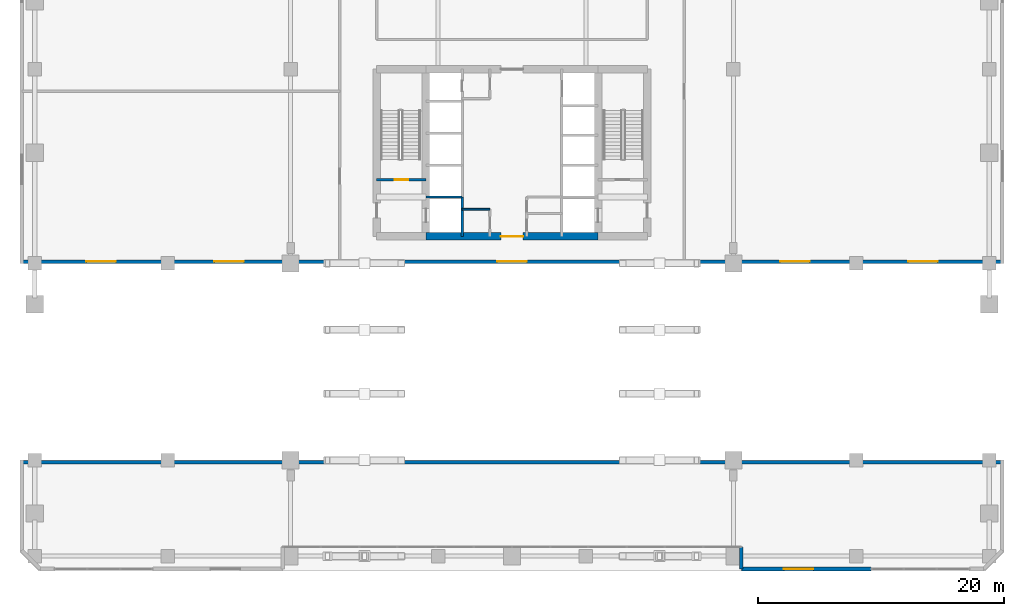
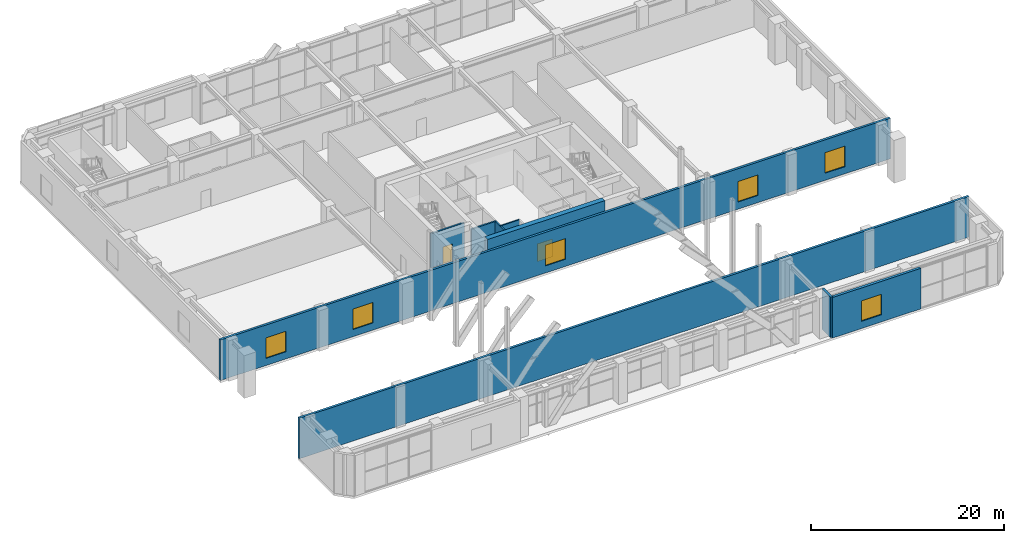
# One storey, part 21 of 28: 9 walls, 6 windows, 2 doors, 8 openings.
"""IFC4 building model written with IfcOpenShell, lengths in metres."""

import ifcopenshell
import ifcopenshell.guid

model = None  # the IFC model being written
_history = None  # IfcOwnerHistory: only IFC2X3 demands one
_inside = {}  # id of a spatial element -> (the spatial element, [elements in it])
_under = {}  # id of a project, library or spatial element -> (it, [spatial elements below it])
_declared = {}  # id of a project -> (the project, [libraries it declares])
_typed = {}  # id of a type object -> (the type object, [elements of that type])
_made_of = {}  # id of a material, layer set ... -> (it, [elements and type objects made of it])


def new_model(schema):
    """Start an empty IFC model of exactly this schema.

    Asked for "IFC4X3", IfcOpenShell would pick the latest addendum, in which some entities
    have other attributes; the version numbers below select the first issue.
    IFC2X3 requires an IfcOwnerHistory on every rooted entity: one is made here for all.
    """
    global model, _history
    if schema == "IFC4X3":
        model = ifcopenshell.file(schema_version=(4, 3, 0, 0))
    else:
        model = ifcopenshell.file(schema=schema)
    _inside.clear()
    _under.clear()
    _declared.clear()
    _typed.clear()
    _made_of.clear()
    _history = None
    if model.schema == "IFC2X3":
        org = make("IfcOrganization", Name="unknown")
        user = make(
            "IfcPersonAndOrganization",
            ThePerson=make("IfcPerson", FamilyName="unknown"),
            TheOrganization=org,
        )
        app = make(
            "IfcApplication",
            ApplicationDeveloper=org,
            Version="unknown",
            ApplicationFullName="unknown",
            ApplicationIdentifier="unknown",
        )
        _history = make(
            "IfcOwnerHistory",
            OwningUser=user,
            OwningApplication=app,
            ChangeAction="ADDED",
            CreationDate=0,
        )
    return model


def make(cls, **values):
    """One entity of the class cls with the attributes given. An attribute that is None is left unset."""
    return model.create_entity(
        cls, **{name: value for name, value in values.items() if value is not None}
    )


def rooted(cls, **values):
    """An entity with a GlobalId (a new one), such as an element, a storey or a relation."""
    return make(cls, GlobalId=ifcopenshell.guid.new(), OwnerHistory=_history, **values)


def si_unit(unit_type, name, prefix=None):
    """IfcSIUnit, for example si_unit("LENGTHUNIT", "METRE", prefix="MILLI")."""
    return make("IfcSIUnit", UnitType=unit_type, Prefix=prefix, Name=name)


def assignment(units):
    """IfcUnitAssignment: the units of a project."""
    return None if units is None else make("IfcUnitAssignment", Units=units)


def point(xyz):
    """IfcCartesianPoint."""
    return None if xyz is None else make("IfcCartesianPoint", Coordinates=xyz)


def direction(xyz):
    """IfcDirection."""
    return None if xyz is None else make("IfcDirection", DirectionRatios=xyz)


def frame(location, z_axis=None, x_axis=None):
    """IfcAxis2Placement3D, a coordinate frame: its origin and axes. An axis left out is left unset."""
    return make(
        "IfcAxis2Placement3D",
        Location=point(location),
        Axis=direction(z_axis),
        RefDirection=direction(x_axis),
    )


def frame_2d(location, x_axis=None):
    """IfcAxis2Placement2D, a coordinate frame in the plane: its origin and x axis."""
    return make(
        "IfcAxis2Placement2D", Location=point(location), RefDirection=direction(x_axis)
    )


def origin():
    """The frame at (0, 0, 0) with its axes left unset."""
    return frame((0.0, 0.0, 0.0))


def place(relative_to, where):
    """IfcLocalPlacement: puts the frame where relative to a parent placement (None: the world)."""
    return make(
        "IfcLocalPlacement", PlacementRelTo=relative_to, RelativePlacement=where
    )


def context(
    kind, dimensions, precision=None, world=None, true_north=None, identifier=None
):
    """IfcGeometricRepresentationContext, for example the 3D "Model" context."""
    return make(
        "IfcGeometricRepresentationContext",
        ContextIdentifier=identifier,
        ContextType=kind,
        CoordinateSpaceDimension=dimensions,
        Precision=precision,
        WorldCoordinateSystem=world,
        TrueNorth=true_north,
    )


def subcontext(parent, identifier, kind, view, scale=None):
    """IfcGeometricRepresentationSubContext, for example "Body" below "Model"."""
    return make(
        "IfcGeometricRepresentationSubContext",
        ContextIdentifier=identifier,
        ContextType=kind,
        ParentContext=parent,
        TargetScale=scale,
        TargetView=view,
    )


def project(units=None, contexts=None):
    """IfcProject with its units and contexts."""
    return rooted(
        "IfcProject",
        Name="project",
        RepresentationContexts=contexts,
        UnitsInContext=assignment(units),
    )


def spatial(cls, under=None, at=None, **own):
    """A site, building, storey or space (cls), placed at a placement, below another one or the project."""
    s = rooted(cls, ObjectPlacement=at, **own)
    if under is not None:
        _under.setdefault(under.id(), (under, []))[1].append(s)
    return s


def profile(cls, at=None, kind="AREA", **sizes):
    """A parametric profile (cls). Its sizes go by their IFC names, for example OverallWidth=200.0."""
    return make(cls, ProfileType=kind, Position=at, **sizes)


def rectangle(**sizes):
    """IfcRectangleProfileDef."""
    return profile("IfcRectangleProfileDef", **sizes)


def extrude(swept, where, along, depth):
    """IfcExtrudedAreaSolid: the profile swept, set in the frame where, extruded along a direction by depth."""
    return make(
        "IfcExtrudedAreaSolid",
        SweptArea=swept,
        Position=where,
        ExtrudedDirection=direction(along),
        Depth=depth,
    )


def shape(context_of_items, identifier, shape_type, items):
    """IfcShapeRepresentation: the items that make up one representation, for example the "Body"."""
    return make(
        "IfcShapeRepresentation",
        ContextOfItems=context_of_items,
        RepresentationIdentifier=identifier,
        RepresentationType=shape_type,
        Items=items,
    )


def material(Name=None, Category=None):
    """IfcMaterial."""
    return make("IfcMaterial", Name=Name, Category=Category)


def layer(
    of_material, thickness, ventilated=None, Name=None, Category=None, Priority=None
):
    """IfcMaterialLayer: one layer of a wall or slab, of a material (None: an air gap)."""
    return make(
        "IfcMaterialLayer",
        Material=of_material,
        LayerThickness=thickness,
        IsVentilated=ventilated,
        Name=Name,
        Category=Category,
        Priority=Priority,
    )


def layer_set(layers, Name=None):
    """IfcMaterialLayerSet."""
    return make("IfcMaterialLayerSet", MaterialLayers=layers, LayerSetName=Name)


def made_of(thing, what):
    """Note that an element or type object is made of a material, layer set ...; save() writes the relation."""
    if what is not None:
        _made_of.setdefault(what.id(), (what, []))[1].append(thing)
    return thing


def type_object(cls, material=None, **own):
    """A type object (cls), such as IfcWallType, which elements share."""
    return made_of(rooted(cls, **own), material)


def element(
    cls,
    number,
    at=None,
    inside=None,
    cuts=None,
    type_object=None,
    material=None,
    context=None,
    identifier="Body",
    shape_type=None,
    held_by="IfcProductDefinitionShape",
    body=None,
    shapes=None,
    **own,
):
    """One element of the class cls, such as IfcWall. Its Tag is "e" and its number.

    at: its placement. inside: the storey or other place that contains it. cuts: it is an
    opening in that element (IfcRelVoidsElement). A single representation is given by context,
    identifier, shape_type and body (its items); several are given by shapes. held_by: the class
    of the entity that holds the representations. save() writes the other relations.
    """
    e = rooted(cls, Tag="e%d" % number, ObjectPlacement=at, **own)
    if body is not None:
        shapes = [shape(context, identifier, shape_type, body)]
    if shapes is not None:
        e.Representation = make(held_by, Representations=shapes)
    if inside is not None:
        _inside.setdefault(inside.id(), (inside, []))[1].append(e)
    if cuts is not None:
        rooted(
            "IfcRelVoidsElement", RelatingBuildingElement=cuts, RelatedOpeningElement=e
        )
    if type_object is not None:
        _typed.setdefault(type_object.id(), (type_object, []))[1].append(e)
    return made_of(e, material)


def fill(opening, filler):
    """IfcRelFillsElement: the door or window that sits in an opening."""
    return rooted(
        "IfcRelFillsElement",
        RelatingOpeningElement=opening,
        RelatedBuildingElement=filler,
    )


def aggregate(whole, parts):
    """IfcRelAggregates: a whole, such as a stair, and the parts it consists of."""
    return rooted("IfcRelAggregates", RelatingObject=whole, RelatedObjects=parts)


def save(model, path):
    """Write the relations noted so far, then the file.

    IfcRelAggregates (storeys below a building ...), IfcRelContainedInSpatialStructure (elements
    in a storey), IfcRelDefinesByType, IfcRelAssociatesMaterial and IfcRelDeclares: one each for
    every whole, place, type object, material and project.
    """
    for whole, parts in _under.values():
        aggregate(whole, parts)
    for where, things in _inside.values():
        rooted(
            "IfcRelContainedInSpatialStructure",
            RelatedElements=things,
            RelatingStructure=where,
        )
    for kind, things in _typed.values():
        rooted("IfcRelDefinesByType", RelatedObjects=things, RelatingType=kind)
    for what, things in _made_of.values():
        rooted("IfcRelAssociatesMaterial", RelatedObjects=things, RelatingMaterial=what)
    for by, libraries in _declared.values():
        rooted("IfcRelDeclares", RelatingContext=by, RelatedDefinitions=libraries)
    model.write(path)


model = new_model("IFC4")

# Units and contexts
model_context = context("Model", 3, precision=1e-05, world=origin(), true_north=direction((0.0, 1.0)))
body_context = subcontext(model_context, "Body", "Model", "MODEL_VIEW")
ifc_project = project(units=[si_unit("LENGTHUNIT", "METRE"), si_unit("AREAUNIT", "SQUARE_METRE"), si_unit("VOLUMEUNIT", "CUBIC_METRE"), si_unit("PLANEANGLEUNIT", "RADIAN"), si_unit("MASSUNIT", "GRAM", prefix="KILO")], contexts=[model_context])

# Site, building, storey
site_placement = place(None, origin())
site = spatial("IfcSite", under=ifc_project, at=site_placement, CompositionType="ELEMENT")
building_placement = place(site_placement, origin())
building = spatial("IfcBuilding", under=site, at=building_placement, Name="Sarneth Arch Tower", CompositionType="ELEMENT")
storey_placement = place(building_placement, frame((0.0, 0.0, 6.0)))
storey = spatial("IfcBuildingStorey", under=building, at=storey_placement, Name="L01", CompositionType="ELEMENT", Elevation=6.0)

# Wall, opening, door
ifc_material_1 = material(Name="Concrete C60/75", Category="concrete")
ifc_layer_1 = layer(ifc_material_1, 0.60009765625)
ifc_layer_set_1 = layer_set([ifc_layer_1], Name="Concrete C60/75")
wall_type_1 = type_object("IfcWallType", Name="WALL-CORE-600", PredefinedType="SHEAR", material=ifc_layer_set_1)
wall_1_placement = place(storey_placement, frame((41.0, 35.199951171875, 0.0), z_axis=(0.0, 0.0, 1.0), x_axis=(1.0, 0.0, 0.0)))
wall_1 = element("IfcWall", 1, at=wall_1_placement, inside=storey, type_object=wall_type_1, Name="L01 Core shear wall S-M", PredefinedType="SHEAR", context=body_context, shape_type="SweptSolid", body=[
    extrude(rectangle(XDim=14.0, YDim=0.60009765625, at=frame_2d((7.0, 0.0))), origin(), (0.0, 0.0, 1.0), 5.1201171875),
])
opening_1_placement = place(wall_1_placement, frame((6.10009765625, 0.0, 0.0)))
opening_1 = element("IfcOpeningElement", 2, at=opening_1_placement, cuts=wall_1, Name="Opening FD-01", PredefinedType="OPENING", context=body_context, shape_type="SweptSolid", body=[
    extrude(rectangle(XDim=1.800048828125, YDim=2.25, at=frame_2d((0.89990234375, 1.125))), frame((0.0, 0.31005859375, 0.0), z_axis=(0.0, -1.0, 0.0), x_axis=(1.0, 0.0, 0.0)), (0.0, 0.0, 1.0), 0.6201171875),
])
ifc_material_2 = material(Name="Galvanised Steel S275 fire door set", Category="steel")
door_type_1 = type_object("IfcDoorType", Name="DR-FD90-1800", OperationType="DOUBLE_DOOR_SINGLE_SWING", PredefinedType="DOOR", material=ifc_material_2)
door_1_placement = place(opening_1_placement, origin())
door_1 = element("IfcDoor", 3, at=door_1_placement, inside=storey, type_object=door_type_1, Name="L01 Central lift lobby south door", OperationType="DOUBLE_DOOR_SINGLE_SWING", OverallHeight=2.25, OverallWidth=1.800048828125, PredefinedType="DOOR", context=body_context, shape_type="SweptSolid", body=[
    extrude(rectangle(XDim=1.800048828125, YDim=2.25, at=frame_2d((0.89990234375, 1.125))), frame((0.0, 0.02490234375, 0.0), z_axis=(0.0, -1.0, 0.0), x_axis=(1.0, 0.0, 0.0)), (0.0, 0.0, 1.0), 0.050048828125),
])
fill(opening_1, door_1)

# Wall
ifc_material_3 = material(Name="Extruded terracotta rainscreen on Concrete C40/50 backing", Category="masonry")
ifc_layer_2 = layer(ifc_material_3, 0.280029296875)
ifc_layer_set_2 = layer_set([ifc_layer_2], Name="Extruded terracotta rainscreen on Concrete C40/50 backing")
wall_type_2 = type_object("IfcWallType", Name="WALL-EXT-TERRA-280", PredefinedType="SOLIDWALL", material=ifc_layer_set_2)
wall_2_placement = place(storey_placement, frame((66.64990234375, 9.949951171875, 0.0), z_axis=(0.0, 0.0, 1.0), x_axis=(0.0, -1.0, 0.0)))
element("IfcWall", 4, at=wall_2_placement, inside=storey, type_object=wall_type_2, Name="L01 South-east arch portal return", PredefinedType="SOLIDWALL", context=body_context, shape_type="SweptSolid", body=[
    extrude(rectangle(XDim=1.800048828125, YDim=0.280029296875, at=frame_2d((0.89990234375, 0.0))), origin(), (0.0, 0.0, 1.0), 5.1201171875),
])

# Wall, openings, windows
wall_3_placement = place(storey_placement, frame((88.0, 33.14990234375, 0.0), z_axis=(0.0, 0.0, 1.0), x_axis=(-1.0, 0.0, 0.0)))
wall_3 = element("IfcWall", 5, at=wall_3_placement, inside=storey, type_object=wall_type_2, Name="L01 Arch passage north portal wall", PredefinedType="SOLIDWALL", context=body_context, shape_type="SweptSolid", body=[
    extrude(rectangle(XDim=80.0, YDim=0.280029296875, at=frame_2d((40.0, 0.0))), origin(), (0.0, 0.0, 1.0), 5.1201171875),
])
opening_2_placement = place(wall_3_placement, frame((5.39990234375, 0.0, 0.89990234375)))
opening_2 = element("IfcOpeningElement", 6, at=opening_2_placement, cuts=wall_3, Name="Opening W-02", PredefinedType="OPENING", context=body_context, shape_type="SweptSolid", body=[
    extrude(rectangle(XDim=2.39990234375, YDim=2.60009765625, at=frame_2d((1.199951171875, 1.300048828125))), frame((0.0, 0.14990234375, 0.0), z_axis=(0.0, -1.0, 0.0), x_axis=(1.0, 0.0, 0.0)), (0.0, 0.0, 1.0), 0.300048828125),
])
opening_3_placement = place(wall_3_placement, frame((15.800048828125, 0.0, 0.89990234375)))
opening_3 = element("IfcOpeningElement", 7, at=opening_3_placement, cuts=wall_3, Name="Opening W-02", PredefinedType="OPENING", context=body_context, shape_type="SweptSolid", body=[
    extrude(rectangle(XDim=2.39990234375, YDim=2.60009765625, at=frame_2d((1.199951171875, 1.300048828125))), frame((0.0, 0.14990234375, 0.0), z_axis=(0.0, -1.0, 0.0), x_axis=(1.0, 0.0, 0.0)), (0.0, 0.0, 1.0), 0.300048828125),
])
opening_4_placement = place(wall_3_placement, frame((38.800048828125, 0.0, 0.89990234375)))
opening_4 = element("IfcOpeningElement", 8, at=opening_4_placement, cuts=wall_3, Name="Opening W-02", PredefinedType="OPENING", context=body_context, shape_type="SweptSolid", body=[
    extrude(rectangle(XDim=2.39990234375, YDim=2.60009765625, at=frame_2d((1.199951171875, 1.300048828125))), frame((0.0, 0.14990234375, 0.0), z_axis=(0.0, -1.0, 0.0), x_axis=(1.0, 0.0, 0.0)), (0.0, 0.0, 1.0), 0.300048828125),
])
opening_5_placement = place(wall_3_placement, frame((61.800048828125, 0.0, 0.89990234375)))
opening_5 = element("IfcOpeningElement", 9, at=opening_5_placement, cuts=wall_3, Name="Opening W-02", PredefinedType="OPENING", context=body_context, shape_type="SweptSolid", body=[
    extrude(rectangle(XDim=2.39990234375, YDim=2.60009765625, at=frame_2d((1.199951171875, 1.300048828125))), frame((0.0, 0.14990234375, 0.0), z_axis=(0.0, -1.0, 0.0), x_axis=(1.0, 0.0, 0.0)), (0.0, 0.0, 1.0), 0.300048828125),
])
opening_6_placement = place(wall_3_placement, frame((72.199951171875, 0.0, 0.89990234375)))
opening_6 = element("IfcOpeningElement", 10, at=opening_6_placement, cuts=wall_3, Name="Opening W-02", PredefinedType="OPENING", context=body_context, shape_type="SweptSolid", body=[
    extrude(rectangle(XDim=2.39990234375, YDim=2.60009765625, at=frame_2d((1.199951171875, 1.300048828125))), frame((0.0, 0.14990234375, 0.0), z_axis=(0.0, -1.0, 0.0), x_axis=(1.0, 0.0, 0.0)), (0.0, 0.0, 1.0), 0.300048828125),
])
ifc_material_4 = material(Name="Thermally broken Aluminium 6063-T6 and low-e laminated IGU", Category="aluminium")
window_type = type_object("IfcWindowType", Name="WIN-POD-2400x2600", PartitioningType="DOUBLE_PANEL_VERTICAL", PredefinedType="WINDOW", material=ifc_material_4)
window_1_placement = place(opening_2_placement, origin())
window_1 = element("IfcWindow", 11, at=window_1_placement, inside=storey, type_object=window_type, Name="L01 Arch overlook window 1", OverallHeight=2.60009765625, OverallWidth=2.39990234375, PartitioningType="SINGLE_PANEL", PredefinedType="WINDOW", context=body_context, shape_type="SweptSolid", body=[
    extrude(rectangle(XDim=2.39990234375, YDim=2.60009765625, at=frame_2d((1.199951171875, 1.300048828125))), frame((0.0, 0.030029296875, 0.0), z_axis=(0.0, -1.0, 0.0), x_axis=(1.0, 0.0, 0.0)), (0.0, 0.0, 1.0), 0.06005859375),
])
fill(opening_2, window_1)
window_2_placement = place(opening_3_placement, origin())
window_2 = element("IfcWindow", 12, at=window_2_placement, inside=storey, type_object=window_type, Name="L01 Arch overlook window 2", OverallHeight=2.60009765625, OverallWidth=2.39990234375, PartitioningType="SINGLE_PANEL", PredefinedType="WINDOW", context=body_context, shape_type="SweptSolid", body=[
    extrude(rectangle(XDim=2.39990234375, YDim=2.60009765625, at=frame_2d((1.199951171875, 1.300048828125))), frame((0.0, 0.030029296875, 0.0), z_axis=(0.0, -1.0, 0.0), x_axis=(1.0, 0.0, 0.0)), (0.0, 0.0, 1.0), 0.06005859375),
])
fill(opening_3, window_2)
window_3_placement = place(opening_4_placement, origin())
window_3 = element("IfcWindow", 13, at=window_3_placement, inside=storey, type_object=window_type, Name="L01 Arch overlook window 3", OverallHeight=2.60009765625, OverallWidth=2.39990234375, PartitioningType="SINGLE_PANEL", PredefinedType="WINDOW", context=body_context, shape_type="SweptSolid", body=[
    extrude(rectangle(XDim=2.39990234375, YDim=2.60009765625, at=frame_2d((1.199951171875, 1.300048828125))), frame((0.0, 0.030029296875, 0.0), z_axis=(0.0, -1.0, 0.0), x_axis=(1.0, 0.0, 0.0)), (0.0, 0.0, 1.0), 0.06005859375),
])
fill(opening_4, window_3)
window_4_placement = place(opening_5_placement, origin())
window_4 = element("IfcWindow", 14, at=window_4_placement, inside=storey, type_object=window_type, Name="L01 Arch overlook window 4", OverallHeight=2.60009765625, OverallWidth=2.39990234375, PartitioningType="SINGLE_PANEL", PredefinedType="WINDOW", context=body_context, shape_type="SweptSolid", body=[
    extrude(rectangle(XDim=2.39990234375, YDim=2.60009765625, at=frame_2d((1.199951171875, 1.300048828125))), frame((0.0, 0.030029296875, 0.0), z_axis=(0.0, -1.0, 0.0), x_axis=(1.0, 0.0, 0.0)), (0.0, 0.0, 1.0), 0.06005859375),
])
fill(opening_5, window_4)
window_5_placement = place(opening_6_placement, origin())
window_5 = element("IfcWindow", 15, at=window_5_placement, inside=storey, type_object=window_type, Name="L01 Arch overlook window 5", OverallHeight=2.60009765625, OverallWidth=2.39990234375, PartitioningType="SINGLE_PANEL", PredefinedType="WINDOW", context=body_context, shape_type="SweptSolid", body=[
    extrude(rectangle(XDim=2.39990234375, YDim=2.60009765625, at=frame_2d((1.199951171875, 1.300048828125))), frame((0.0, 0.030029296875, 0.0), z_axis=(0.0, -1.0, 0.0), x_axis=(1.0, 0.0, 0.0)), (0.0, 0.0, 1.0), 0.06005859375),
])
fill(opening_6, window_5)

# Wall
wall_4_placement = place(storey_placement, frame((8.0, 16.85009765625, 0.0), z_axis=(0.0, 0.0, 1.0), x_axis=(1.0, 0.0, 0.0)))
element("IfcWall", 16, at=wall_4_placement, inside=storey, type_object=wall_type_2, Name="L01 Arch passage south portal wall", PredefinedType="SOLIDWALL", context=body_context, shape_type="SweptSolid", body=[
    extrude(rectangle(XDim=80.0, YDim=0.280029296875, at=frame_2d((40.0, 0.0))), origin(), (0.0, 0.0, 1.0), 5.1201171875),
])

# Wall, opening, window
ifc_material_5 = material(Name="Extruded terracotta rainscreen on Concrete C40/50 backing", Category="masonry")
ifc_layer_3 = layer(ifc_material_5, 0.320068359375)
ifc_layer_set_3 = layer_set([ifc_layer_3], Name="Extruded terracotta rainscreen on Concrete C40/50 backing")
wall_type_3 = type_object("IfcWallType", Name="WALL-EXT-TERRA-320", PredefinedType="SOLIDWALL", material=ifc_layer_set_3)
wall_5_placement = place(storey_placement, frame((77.199951171875, 8.14990234375, 0.0), z_axis=(0.0, 0.0, 1.0), x_axis=(-1.0, 0.0, 0.0)))
wall_5 = element("IfcWall", 17, at=wall_5_placement, inside=storey, type_object=wall_type_3, Name="L01 South-east podium wing wall", PredefinedType="SOLIDWALL", context=body_context, shape_type="SweptSolid", body=[
    extrude(rectangle(XDim=10.550048828125, YDim=0.320068359375, at=frame_2d((5.27490234375, 0.0))), origin(), (0.0, 0.0, 1.0), 5.1201171875),
])
opening_7_placement = place(wall_5_placement, frame((4.699951171875, 0.0, 0.89990234375)))
opening_7 = element("IfcOpeningElement", 18, at=opening_7_placement, cuts=wall_5, Name="Opening W-02", PredefinedType="OPENING", context=body_context, shape_type="SweptSolid", body=[
    extrude(rectangle(XDim=2.39990234375, YDim=2.60009765625, at=frame_2d((1.199951171875, 1.300048828125))), frame((0.0, 0.169921875, 0.0), z_axis=(0.0, -1.0, 0.0), x_axis=(1.0, 0.0, 0.0)), (0.0, 0.0, 1.0), 0.340087890625),
])
window_6_placement = place(opening_7_placement, origin())
window_6 = element("IfcWindow", 19, at=window_6_placement, inside=storey, type_object=window_type, Name="L01 South wing window 2.1", OverallHeight=2.60009765625, OverallWidth=2.39990234375, PartitioningType="SINGLE_PANEL", PredefinedType="WINDOW", context=body_context, shape_type="SweptSolid", body=[
    extrude(rectangle(XDim=2.39990234375, YDim=2.60009765625, at=frame_2d((1.199951171875, 1.300048828125))), frame((0.0, 0.030029296875, 0.0), z_axis=(0.0, -1.0, 0.0), x_axis=(1.0, 0.0, 0.0)), (0.0, 0.0, 1.0), 0.06005859375),
])
fill(opening_7, window_6)

# Wall
ifc_material_6 = material(Name="Acoustic gypsum stud partition", Category="gypsum")
ifc_layer_4 = layer(ifc_material_6, 0.14990234375)
ifc_layer_set_4 = layer_set([ifc_layer_4], Name="Acoustic gypsum stud partition")
wall_type_4 = type_object("IfcWallType", Name="WALL-PART-150", PredefinedType="PARTITIONING", material=ifc_layer_set_4)
wall_6_placement = place(storey_placement, frame((43.949951171875, 37.39990234375, 0.0), z_axis=(0.0, 0.0, 1.0), x_axis=(1.0, 0.0, 0.0)))
element("IfcWall", 20, at=wall_6_placement, inside=storey, type_object=wall_type_4, Name="L01 Interior partition W-L01-CSUP1-N", PredefinedType="PARTITIONING", context=body_context, shape_type="SweptSolid", body=[
    extrude(rectangle(XDim=2.25, YDim=0.14990234375, at=frame_2d((1.125, 0.0))), origin(), (0.0, 0.0, 1.0), 4.320068359375),
])

# Wall, opening, door
ifc_material_7 = material(Name="Aerated concrete blockwork C25/30", Category="masonry")
ifc_layer_5 = layer(ifc_material_7, 0.199951171875)
ifc_layer_set_5 = layer_set([ifc_layer_5], Name="Aerated concrete blockwork C25/30")
wall_type_5 = type_object("IfcWallType", Name="WALL-SHAFT-200", PredefinedType="SOLIDWALL", material=ifc_layer_set_5)
wall_7_placement = place(storey_placement, frame((37.0, 39.800048828125, 0.0), z_axis=(0.0, 0.0, 1.0), x_axis=(1.0, 0.0, 0.0)))
wall_7 = element("IfcWall", 21, at=wall_7_placement, inside=storey, type_object=wall_type_5, Name="L01 Interior partition W-L01-ST1-S", PredefinedType="SOLIDWALL", context=body_context, shape_type="SweptSolid", body=[
    extrude(rectangle(XDim=4.0, YDim=0.199951171875, at=frame_2d((2.0, 0.0))), origin(), (0.0, 0.0, 1.0), 4.320068359375),
])
opening_8_placement = place(wall_7_placement, frame((1.449951171875, 0.0, 0.0)))
opening_8 = element("IfcOpeningElement", 22, at=opening_8_placement, cuts=wall_7, Name="Opening FD-03", PredefinedType="OPENING", context=body_context, shape_type="SweptSolid", body=[
    extrude(rectangle(XDim=1.10009765625, YDim=2.14990234375, at=frame_2d((0.550048828125, 1.074951171875))), frame((0.0, 0.10986328125, 0.0), z_axis=(0.0, -1.0, 0.0), x_axis=(1.0, 0.0, 0.0)), (0.0, 0.0, 1.0), 0.219970703125),
])
ifc_material_8 = material(Name="Galvanised Steel S275 fire door set", Category="steel")
door_type_2 = type_object("IfcDoorType", Name="DR-FD90-1100", OperationType="SINGLE_SWING_LEFT", PredefinedType="DOOR", material=ifc_material_8)
door_2_placement = place(opening_8_placement, origin())
door_2 = element("IfcDoor", 23, at=door_2_placement, inside=storey, type_object=door_type_2, Name="L01 Interior door DR-L01-ST1", OperationType="SINGLE_SWING_LEFT", OverallHeight=2.14990234375, OverallWidth=1.10009765625, PredefinedType="DOOR", context=body_context, shape_type="SweptSolid", body=[
    extrude(rectangle(XDim=1.10009765625, YDim=2.14990234375, at=frame_2d((0.550048828125, 1.074951171875))), frame((0.0, 0.02490234375, 0.0), z_axis=(0.0, -1.0, 0.0), x_axis=(1.0, 0.0, 0.0)), (0.0, 0.0, 1.0), 0.050048828125),
])
fill(opening_8, door_2)

# Walls
wall_8_placement = place(storey_placement, frame((43.949951171875, 35.199951171875, 0.0), z_axis=(0.0, 0.0, 1.0), x_axis=(0.0, 1.0, 0.0)))
element("IfcWall", 24, at=wall_8_placement, inside=storey, type_object=wall_type_5, Name="L01 Interior partition W-L01-FL1-E", PredefinedType="SOLIDWALL", context=body_context, shape_type="SweptSolid", body=[
    extrude(rectangle(XDim=3.199951171875, YDim=0.199951171875, at=frame_2d((1.60009765625, 0.0))), origin(), (0.0, 0.0, 1.0), 4.320068359375),
])
wall_9_placement = place(storey_placement, frame((41.0, 38.39990234375, 0.0), z_axis=(0.0, 0.0, 1.0), x_axis=(1.0, 0.0, 0.0)))
element("IfcWall", 25, at=wall_9_placement, inside=storey, type_object=wall_type_5, Name="L01 Interior partition W-L01-FL1-N", PredefinedType="SOLIDWALL", context=body_context, shape_type="SweptSolid", body=[
    extrude(rectangle(XDim=2.949951171875, YDim=0.199951171875, at=frame_2d((1.47509765625, 0.0))), origin(), (0.0, 0.0, 1.0), 4.320068359375),
])

save(model, "model.ifc")
